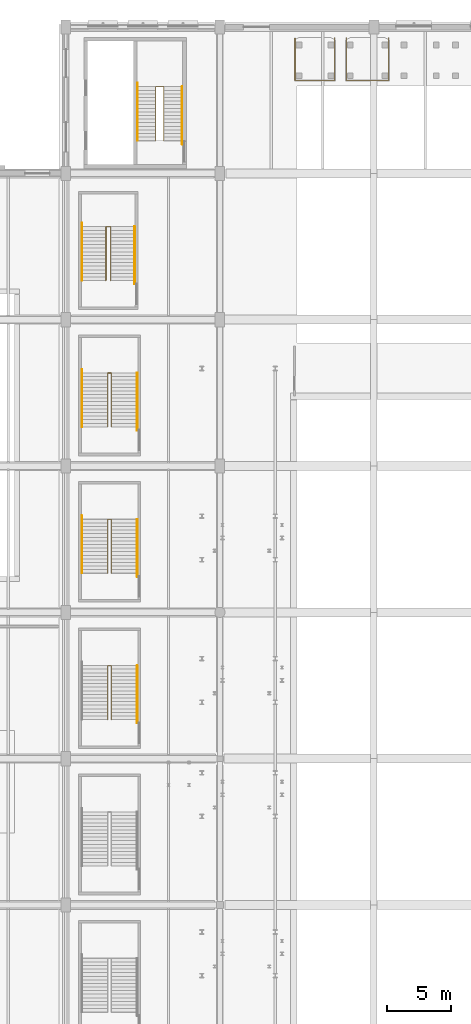
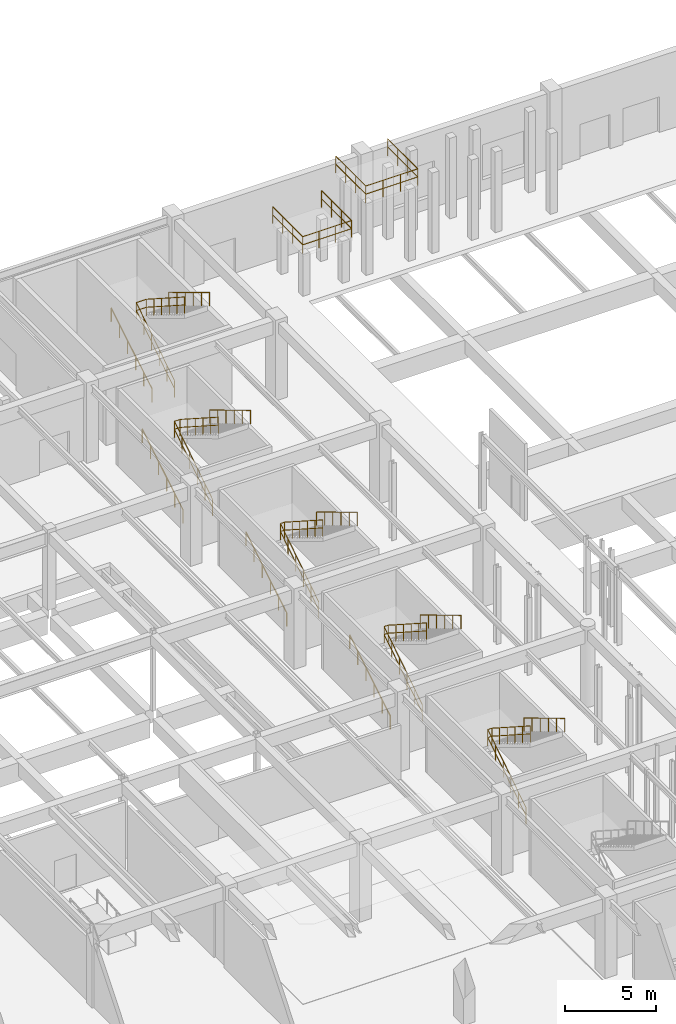
# One storey, part 112 of 113: 16 railings.
"""IFC4 building model written with IfcOpenShell, lengths in metres."""

from ifc_helpers import new_model, si_unit, direction, frame, origin, origin_2d, place, context, subcontext, project, spatial, circle, extrude, material, layer, layer_set, type_object, element, save


model = new_model("IFC4")

# Units and contexts
model_context = context("Model", 3, precision=1e-05, world=origin(), true_north=direction((0.0, 1.0)))
body_context = subcontext(model_context, "Body", "Model", "MODEL_VIEW")
ifc_project = project(units=[si_unit("LENGTHUNIT", "METRE"), si_unit("AREAUNIT", "SQUARE_METRE"), si_unit("VOLUMEUNIT", "CUBIC_METRE"), si_unit("PLANEANGLEUNIT", "RADIAN"), si_unit("MASSUNIT", "GRAM", prefix="KILO"), si_unit("POWERUNIT", "WATT"), si_unit("THERMODYNAMICTEMPERATUREUNIT", "KELVIN")], contexts=[model_context])

# Site, building, storey
site_placement = place(None, origin())
site = spatial("IfcSite", under=ifc_project, at=site_placement, CompositionType="ELEMENT")
building_placement = place(site_placement, origin())
building = spatial("IfcBuilding", under=site, at=building_placement, Name="Kelmbourne Parkland Aquatics Centre", CompositionType="ELEMENT")
storey_placement = place(building_placement, origin())
storey = spatial("IfcBuildingStorey", under=building, at=storey_placement, Name="L00", CompositionType="ELEMENT", Elevation=0.0)

# Railings
ifc_material_1 = material(Name="Grade 316 stainless steel and laminated glass balustrade", Category="glass")
ifc_layer = layer(ifc_material_1, 0.06005859375)
ifc_layer_set = layer_set([ifc_layer], Name="Grade 316 stainless steel and laminated glass balustrade")
railing_type_1 = type_object("IfcRailingType", Name="RL-BL-114", PredefinedType="BALUSTRADE", material=ifc_layer_set)
railing_1_placement = place(storey_placement, frame((145.85009765625, 113.949951171875, 3.0)))
element("IfcRailing", 1, at=railing_1_placement, inside=storey, type_object=railing_type_1, Name="Safety balustrade BAL-DIVE-3M", PredefinedType="BALUSTRADE", context=body_context, shape_type="SweptSolid", body=[
    extrude(circle(Radius=0.02392578125, at=origin_2d()), frame((0.0, 0.0, 1.11572265625), z_axis=(0.0, -1.0, 0.0), x_axis=(1.0, 0.0, 0.0)), (0.0, 0.0, 1.0), 3.300048828125),
    extrude(circle(Radius=0.02392578125, at=origin_2d()), frame((0.0, 0.0, 0.56982421875), z_axis=(0.0, -1.0, 0.0), x_axis=(1.0, 0.0, 0.0)), (0.0, 0.0, 1.0), 3.300048828125),
    extrude(circle(Radius=0.02392578125, at=origin_2d()), frame((0.0, -3.300048828125, 1.11572265625), z_axis=(1.0, 0.0, 0.0), x_axis=(0.0, 1.0, 0.0)), (0.0, 0.0, 1.0), 3.099853515625),
    extrude(circle(Radius=0.02392578125, at=origin_2d()), frame((0.0, -3.300048828125, 0.56982421875), z_axis=(1.0, 0.0, 0.0), x_axis=(0.0, 1.0, 0.0)), (0.0, 0.0, 1.0), 3.099853515625),
    extrude(circle(Radius=0.02392578125, at=origin_2d()), frame((3.099853515625, -3.300048828125, 1.11572265625), z_axis=(0.0, 1.0, 0.0), x_axis=(-1.0, 0.0, 0.0)), (0.0, 0.0, 1.0), 3.300048828125),
    extrude(circle(Radius=0.02392578125, at=origin_2d()), frame((3.099853515625, -3.300048828125, 0.56982421875), z_axis=(0.0, 1.0, 0.0), x_axis=(-1.0, 0.0, 0.0)), (0.0, 0.0, 1.0), 3.300048828125),
    extrude(circle(Radius=0.02099609375, at=origin_2d()), origin(), (0.0, 0.0, 1.0), 1.091796875),
    extrude(circle(Radius=0.02099609375, at=origin_2d()), frame((0.0, -1.10009765625, 0.0)), (0.0, 0.0, 1.0), 1.091796875),
    extrude(circle(Radius=0.02099609375, at=origin_2d()), frame((0.0, -2.199951171875, 0.0)), (0.0, 0.0, 1.0), 1.091796875),
    extrude(circle(Radius=0.02099609375, at=origin_2d()), frame((0.0, -3.300048828125, 0.0)), (0.0, 0.0, 1.0), 1.091796875),
    extrude(circle(Radius=0.02099609375, at=origin_2d()), frame((1.033203125, -3.300048828125, 0.0)), (0.0, 0.0, 1.0), 1.091796875),
    extrude(circle(Radius=0.02099609375, at=origin_2d()), frame((2.066650390625, -3.300048828125, 0.0)), (0.0, 0.0, 1.0), 1.091796875),
    extrude(circle(Radius=0.02099609375, at=origin_2d()), frame((3.099853515625, -3.300048828125, 0.0)), (0.0, 0.0, 1.0), 1.091796875),
    extrude(circle(Radius=0.02099609375, at=origin_2d()), frame((3.099853515625, -2.199951171875, 0.0)), (0.0, 0.0, 1.0), 1.091796875),
    extrude(circle(Radius=0.02099609375, at=origin_2d()), frame((3.099853515625, -1.10009765625, 0.0)), (0.0, 0.0, 1.0), 1.091796875),
    extrude(circle(Radius=0.02099609375, at=origin_2d()), frame((3.099853515625, 0.0, 0.0)), (0.0, 0.0, 1.0), 1.091796875),
])
railing_2_placement = place(storey_placement, frame((149.85009765625, 113.949951171875, 5.0)))
element("IfcRailing", 2, at=railing_2_placement, inside=storey, type_object=railing_type_1, Name="Safety balustrade BAL-DIVE-5M", PredefinedType="BALUSTRADE", context=body_context, shape_type="SweptSolid", body=[
    extrude(circle(Radius=0.02392578125, at=origin_2d()), frame((0.0, 0.0, 1.11572265625), z_axis=(0.0, -1.0, 0.0), x_axis=(1.0, 0.0, 0.0)), (0.0, 0.0, 1.0), 3.300048828125),
    extrude(circle(Radius=0.02392578125, at=origin_2d()), frame((0.0, 0.0, 0.56982421875), z_axis=(0.0, -1.0, 0.0), x_axis=(1.0, 0.0, 0.0)), (0.0, 0.0, 1.0), 3.300048828125),
    extrude(circle(Radius=0.02392578125, at=origin_2d()), frame((0.0, -3.300048828125, 1.11572265625), z_axis=(1.0, 0.0, 0.0), x_axis=(0.0, 1.0, 0.0)), (0.0, 0.0, 1.0), 3.2998046875),
    extrude(circle(Radius=0.02392578125, at=origin_2d()), frame((0.0, -3.300048828125, 0.56982421875), z_axis=(1.0, 0.0, 0.0), x_axis=(0.0, 1.0, 0.0)), (0.0, 0.0, 1.0), 3.2998046875),
    extrude(circle(Radius=0.02392578125, at=origin_2d()), frame((3.2998046875, -3.300048828125, 1.11572265625), z_axis=(0.0, 1.0, 0.0), x_axis=(-1.0, 0.0, 0.0)), (0.0, 0.0, 1.0), 3.300048828125),
    extrude(circle(Radius=0.02392578125, at=origin_2d()), frame((3.2998046875, -3.300048828125, 0.56982421875), z_axis=(0.0, 1.0, 0.0), x_axis=(-1.0, 0.0, 0.0)), (0.0, 0.0, 1.0), 3.300048828125),
    extrude(circle(Radius=0.02099609375, at=origin_2d()), origin(), (0.0, 0.0, 1.0), 1.091796875),
    extrude(circle(Radius=0.02099609375, at=origin_2d()), frame((0.0, -1.10009765625, 0.0)), (0.0, 0.0, 1.0), 1.091796875),
    extrude(circle(Radius=0.02099609375, at=origin_2d()), frame((0.0, -2.199951171875, 0.0)), (0.0, 0.0, 1.0), 1.091796875),
    extrude(circle(Radius=0.02099609375, at=origin_2d()), frame((0.0, -3.300048828125, 0.0)), (0.0, 0.0, 1.0), 1.091796875),
    extrude(circle(Radius=0.02099609375, at=origin_2d()), frame((1.099853515625, -3.300048828125, 0.0)), (0.0, 0.0, 1.0), 1.091796875),
    extrude(circle(Radius=0.02099609375, at=origin_2d()), frame((2.199951171875, -3.300048828125, 0.0)), (0.0, 0.0, 1.0), 1.091796875),
    extrude(circle(Radius=0.02099609375, at=origin_2d()), frame((3.2998046875, -3.300048828125, 0.0)), (0.0, 0.0, 1.0), 1.091796875),
    extrude(circle(Radius=0.02099609375, at=origin_2d()), frame((3.2998046875, -2.199951171875, 0.0)), (0.0, 0.0, 1.0), 1.091796875),
    extrude(circle(Radius=0.02099609375, at=origin_2d()), frame((3.2998046875, -1.10009765625, 0.0)), (0.0, 0.0, 1.0), 1.091796875),
    extrude(circle(Radius=0.02099609375, at=origin_2d()), frame((3.2998046875, 0.0, 0.0)), (0.0, 0.0, 1.0), 1.091796875),
])
ifc_material_2 = material(Name="Grade 316 marine stainless steel", Category="steel")
railing_type_2 = type_object("IfcRailingType", Name="RL-GD-112", PredefinedType="GUARDRAIL", material=ifc_material_2)
railing_3_placement = place(storey_placement, frame((134.9951171875, 105.949951171875, 0.0)))
element("IfcRailing", 3, at=railing_3_placement, inside=storey, type_object=railing_type_2, Name="North Diving Control Fire-Fighting Core Stair ST05 well guardrail", PredefinedType="GUARDRAIL", context=body_context, shape_type="SweptSolid", body=[
    extrude(circle(Radius=0.02392578125, at=origin_2d()), frame((0.0, 0.0, 1.09619140625), z_axis=(0.0, 0.841180064094, 0.540755119968), x_axis=(-1.0, 0.0, 0.0)), (0.0, 0.0, 1.0), 4.992919921875),
    extrude(circle(Radius=0.02392578125, at=origin_2d()), frame((0.0, 0.0, 0.56005859375), z_axis=(0.0, 0.841180064094, 0.540755119968), x_axis=(-1.0, 0.0, 0.0)), (0.0, 0.0, 1.0), 4.992919921875),
    extrude(circle(Radius=0.02392578125, at=origin_2d()), frame((0.0, 4.199951171875, 3.7958984375), z_axis=(1.0, 0.0, 0.0), x_axis=(0.0, 1.0, 0.0)), (0.0, 0.0, 1.0), 0.634765625),
    extrude(circle(Radius=0.02392578125, at=origin_2d()), frame((0.0, 4.199951171875, 3.260009765625), z_axis=(1.0, 0.0, 0.0), x_axis=(0.0, 1.0, 0.0)), (0.0, 0.0, 1.0), 0.634765625),
    extrude(circle(Radius=0.02392578125, at=origin_2d()), frame((0.634765625, 4.199951171875, 3.7958984375), z_axis=(0.0, -0.841180064094, 0.540755119968), x_axis=(1.0, 0.0, 0.0)), (0.0, 0.0, 1.0), 4.992919921875),
    extrude(circle(Radius=0.02392578125, at=origin_2d()), frame((0.634765625, 4.199951171875, 3.260009765625), z_axis=(0.0, -0.841180064094, 0.540755119968), x_axis=(1.0, 0.0, 0.0)), (0.0, 0.0, 1.0), 4.992919921875),
    extrude(circle(Radius=0.02099609375, at=origin_2d()), origin(), (0.0, 0.0, 1.0), 1.072021484375),
    extrude(circle(Radius=0.02099609375, at=origin_2d()), frame((0.0, 0.840087890625, 0.5400390625)), (0.0, 0.0, 1.0), 1.072021484375),
    extrude(circle(Radius=0.02099609375, at=origin_2d()), frame((0.0, 1.679931640625, 1.080078125)), (0.0, 0.0, 1.0), 1.072021484375),
    extrude(circle(Radius=0.02099609375, at=origin_2d()), frame((0.0, 2.52001953125, 1.619873046875)), (0.0, 0.0, 1.0), 1.072021484375),
    extrude(circle(Radius=0.02099609375, at=origin_2d()), frame((0.0, 3.35986328125, 2.159912109375)), (0.0, 0.0, 1.0), 1.072021484375),
    extrude(circle(Radius=0.02099609375, at=origin_2d()), frame((0.0, 4.199951171875, 2.699951171875)), (0.0, 0.0, 1.0), 1.072021484375),
    extrude(circle(Radius=0.02099609375, at=origin_2d()), frame((0.634765625, 4.199951171875, 2.699951171875)), (0.0, 0.0, 1.0), 1.072021484375),
    extrude(circle(Radius=0.02099609375, at=origin_2d()), frame((0.634765625, 3.35986328125, 3.239990234375)), (0.0, 0.0, 1.0), 1.072021484375),
    extrude(circle(Radius=0.02099609375, at=origin_2d()), frame((0.634765625, 2.52001953125, 3.780029296875)), (0.0, 0.0, 1.0), 1.072021484375),
    extrude(circle(Radius=0.02099609375, at=origin_2d()), frame((0.634765625, 1.679931640625, 4.31982421875)), (0.0, 0.0, 1.0), 1.072021484375),
    extrude(circle(Radius=0.02099609375, at=origin_2d()), frame((0.634765625, 0.840087890625, 4.85986328125)), (0.0, 0.0, 1.0), 1.072021484375),
    extrude(circle(Radius=0.02099609375, at=origin_2d()), frame((0.634765625, 0.0, 5.39990234375)), (0.0, 0.0, 1.0), 1.072021484375),
])
railing_4_placement = place(storey_placement, frame((131.1201171875, 95.050048828125, 0.0)))
element("IfcRailing", 4, at=railing_4_placement, inside=storey, type_object=railing_type_2, Name="Main Bowl North Concourse Exit Stair well guardrail", PredefinedType="GUARDRAIL", context=body_context, shape_type="SweptSolid", body=[
    extrude(circle(Radius=0.02392578125, at=origin_2d()), frame((0.0, 0.0, 1.09619140625), z_axis=(0.0, 0.841180064094, 0.540755119968), x_axis=(-1.0, 0.0, 0.0)), (0.0, 0.0, 1.0), 4.992919921875),
    extrude(circle(Radius=0.02392578125, at=origin_2d()), frame((0.0, 0.0, 0.56005859375), z_axis=(0.0, 0.841180064094, 0.540755119968), x_axis=(-1.0, 0.0, 0.0)), (0.0, 0.0, 1.0), 4.992919921875),
    extrude(circle(Radius=0.02392578125, at=origin_2d()), frame((0.0, 4.199951171875, 3.7958984375), z_axis=(1.0, 0.0, 0.0), x_axis=(0.0, 1.0, 0.0)), (0.0, 0.0, 1.0), 0.35986328125),
    extrude(circle(Radius=0.02392578125, at=origin_2d()), frame((0.0, 4.199951171875, 3.260009765625), z_axis=(1.0, 0.0, 0.0), x_axis=(0.0, 1.0, 0.0)), (0.0, 0.0, 1.0), 0.35986328125),
    extrude(circle(Radius=0.02392578125, at=origin_2d()), frame((0.35986328125, 4.199951171875, 3.7958984375), z_axis=(0.0, -0.841180064094, 0.540755119968), x_axis=(1.0, 0.0, 0.0)), (0.0, 0.0, 1.0), 4.992919921875),
    extrude(circle(Radius=0.02392578125, at=origin_2d()), frame((0.35986328125, 4.199951171875, 3.260009765625), z_axis=(0.0, -0.841180064094, 0.540755119968), x_axis=(1.0, 0.0, 0.0)), (0.0, 0.0, 1.0), 4.992919921875),
    extrude(circle(Radius=0.02099609375, at=origin_2d()), origin(), (0.0, 0.0, 1.0), 1.072021484375),
    extrude(circle(Radius=0.02099609375, at=origin_2d()), frame((0.0, 0.840087890625, 0.5400390625)), (0.0, 0.0, 1.0), 1.072021484375),
    extrude(circle(Radius=0.02099609375, at=origin_2d()), frame((0.0, 1.679931640625, 1.080078125)), (0.0, 0.0, 1.0), 1.072021484375),
    extrude(circle(Radius=0.02099609375, at=origin_2d()), frame((0.0, 2.52001953125, 1.619873046875)), (0.0, 0.0, 1.0), 1.072021484375),
    extrude(circle(Radius=0.02099609375, at=origin_2d()), frame((0.0, 3.35986328125, 2.159912109375)), (0.0, 0.0, 1.0), 1.072021484375),
    extrude(circle(Radius=0.02099609375, at=origin_2d()), frame((0.0, 4.199951171875, 2.699951171875)), (0.0, 0.0, 1.0), 1.072021484375),
    extrude(circle(Radius=0.02099609375, at=origin_2d()), frame((0.35986328125, 4.199951171875, 2.699951171875)), (0.0, 0.0, 1.0), 1.072021484375),
    extrude(circle(Radius=0.02099609375, at=origin_2d()), frame((0.35986328125, 3.35986328125, 3.239990234375)), (0.0, 0.0, 1.0), 1.072021484375),
    extrude(circle(Radius=0.02099609375, at=origin_2d()), frame((0.35986328125, 2.52001953125, 3.780029296875)), (0.0, 0.0, 1.0), 1.072021484375),
    extrude(circle(Radius=0.02099609375, at=origin_2d()), frame((0.35986328125, 1.679931640625, 4.31982421875)), (0.0, 0.0, 1.0), 1.072021484375),
    extrude(circle(Radius=0.02099609375, at=origin_2d()), frame((0.35986328125, 0.840087890625, 4.85986328125)), (0.0, 0.0, 1.0), 1.072021484375),
    extrude(circle(Radius=0.02099609375, at=origin_2d()), frame((0.35986328125, 0.0, 5.39990234375)), (0.0, 0.0, 1.0), 1.072021484375),
])
railing_5_placement = place(storey_placement, frame((131.27001953125, 60.85009765625, 0.0)))
element("IfcRailing", 5, at=railing_5_placement, inside=storey, type_object=railing_type_2, Name="Spectator Bowl Exit Stair Bay 6 well guardrail", PredefinedType="GUARDRAIL", context=body_context, shape_type="SweptSolid", body=[
    extrude(circle(Radius=0.02392578125, at=origin_2d()), frame((0.0, 0.0, 1.09619140625), z_axis=(0.0, 0.841180064094, 0.540755119968), x_axis=(-1.0, 0.0, 0.0)), (0.0, 0.0, 1.0), 4.992919921875),
    extrude(circle(Radius=0.02392578125, at=origin_2d()), frame((0.0, 0.0, 0.56005859375), z_axis=(0.0, 0.841180064094, 0.540755119968), x_axis=(-1.0, 0.0, 0.0)), (0.0, 0.0, 1.0), 4.992919921875),
    extrude(circle(Radius=0.02392578125, at=origin_2d()), frame((0.0, 4.199951171875, 3.7958984375), z_axis=(1.0, 0.0, 0.0), x_axis=(0.0, 1.0, 0.0)), (0.0, 0.0, 1.0), 0.260009765625),
    extrude(circle(Radius=0.02392578125, at=origin_2d()), frame((0.0, 4.199951171875, 3.260009765625), z_axis=(1.0, 0.0, 0.0), x_axis=(0.0, 1.0, 0.0)), (0.0, 0.0, 1.0), 0.260009765625),
    extrude(circle(Radius=0.02392578125, at=origin_2d()), frame((0.260009765625, 4.199951171875, 3.7958984375), z_axis=(0.0, -0.841180064094, 0.540755119968), x_axis=(1.0, 0.0, 0.0)), (0.0, 0.0, 1.0), 4.992919921875),
    extrude(circle(Radius=0.02392578125, at=origin_2d()), frame((0.260009765625, 4.199951171875, 3.260009765625), z_axis=(0.0, -0.841180064094, 0.540755119968), x_axis=(1.0, 0.0, 0.0)), (0.0, 0.0, 1.0), 4.992919921875),
    extrude(circle(Radius=0.02099609375, at=origin_2d()), origin(), (0.0, 0.0, 1.0), 1.072021484375),
    extrude(circle(Radius=0.02099609375, at=origin_2d()), frame((0.0, 0.840087890625, 0.5400390625)), (0.0, 0.0, 1.0), 1.072021484375),
    extrude(circle(Radius=0.02099609375, at=origin_2d()), frame((0.0, 1.679931640625, 1.080078125)), (0.0, 0.0, 1.0), 1.072021484375),
    extrude(circle(Radius=0.02099609375, at=origin_2d()), frame((0.0, 2.52001953125, 1.619873046875)), (0.0, 0.0, 1.0), 1.072021484375),
    extrude(circle(Radius=0.02099609375, at=origin_2d()), frame((0.0, 3.35986328125, 2.159912109375)), (0.0, 0.0, 1.0), 1.072021484375),
    extrude(circle(Radius=0.02099609375, at=origin_2d()), frame((0.0, 4.199951171875, 2.699951171875)), (0.0, 0.0, 1.0), 1.072021484375),
    extrude(circle(Radius=0.02099609375, at=origin_2d()), frame((0.260009765625, 4.199951171875, 2.699951171875)), (0.0, 0.0, 1.0), 1.072021484375),
    extrude(circle(Radius=0.02099609375, at=origin_2d()), frame((0.260009765625, 3.35986328125, 3.239990234375)), (0.0, 0.0, 1.0), 1.072021484375),
    extrude(circle(Radius=0.02099609375, at=origin_2d()), frame((0.260009765625, 2.52001953125, 3.780029296875)), (0.0, 0.0, 1.0), 1.072021484375),
    extrude(circle(Radius=0.02099609375, at=origin_2d()), frame((0.260009765625, 1.679931640625, 4.31982421875)), (0.0, 0.0, 1.0), 1.072021484375),
    extrude(circle(Radius=0.02099609375, at=origin_2d()), frame((0.260009765625, 0.840087890625, 4.85986328125)), (0.0, 0.0, 1.0), 1.072021484375),
    extrude(circle(Radius=0.02099609375, at=origin_2d()), frame((0.260009765625, 0.0, 5.39990234375)), (0.0, 0.0, 1.0), 1.072021484375),
])
railing_6_placement = place(storey_placement, frame((131.27001953125, 72.25, 0.0)))
element("IfcRailing", 6, at=railing_6_placement, inside=storey, type_object=railing_type_2, Name="Spectator Bowl Exit Stair Bay 7 well guardrail", PredefinedType="GUARDRAIL", context=body_context, shape_type="SweptSolid", body=[
    extrude(circle(Radius=0.02392578125, at=origin_2d()), frame((0.0, 0.0, 1.09619140625), z_axis=(0.0, 0.841180064094, 0.540755119968), x_axis=(-1.0, 0.0, 0.0)), (0.0, 0.0, 1.0), 4.992919921875),
    extrude(circle(Radius=0.02392578125, at=origin_2d()), frame((0.0, 0.0, 0.56005859375), z_axis=(0.0, 0.841180064094, 0.540755119968), x_axis=(-1.0, 0.0, 0.0)), (0.0, 0.0, 1.0), 4.992919921875),
    extrude(circle(Radius=0.02392578125, at=origin_2d()), frame((0.0, 4.199951171875, 3.7958984375), z_axis=(1.0, 0.0, 0.0), x_axis=(0.0, 1.0, 0.0)), (0.0, 0.0, 1.0), 0.260009765625),
    extrude(circle(Radius=0.02392578125, at=origin_2d()), frame((0.0, 4.199951171875, 3.260009765625), z_axis=(1.0, 0.0, 0.0), x_axis=(0.0, 1.0, 0.0)), (0.0, 0.0, 1.0), 0.260009765625),
    extrude(circle(Radius=0.02392578125, at=origin_2d()), frame((0.260009765625, 4.199951171875, 3.7958984375), z_axis=(0.0, -0.841180064094, 0.540755119968), x_axis=(1.0, 0.0, 0.0)), (0.0, 0.0, 1.0), 4.992919921875),
    extrude(circle(Radius=0.02392578125, at=origin_2d()), frame((0.260009765625, 4.199951171875, 3.260009765625), z_axis=(0.0, -0.841180064094, 0.540755119968), x_axis=(1.0, 0.0, 0.0)), (0.0, 0.0, 1.0), 4.992919921875),
    extrude(circle(Radius=0.02099609375, at=origin_2d()), origin(), (0.0, 0.0, 1.0), 1.072021484375),
    extrude(circle(Radius=0.02099609375, at=origin_2d()), frame((0.0, 0.840087890625, 0.5400390625)), (0.0, 0.0, 1.0), 1.072021484375),
    extrude(circle(Radius=0.02099609375, at=origin_2d()), frame((0.0, 1.679931640625, 1.080078125)), (0.0, 0.0, 1.0), 1.072021484375),
    extrude(circle(Radius=0.02099609375, at=origin_2d()), frame((0.0, 2.52001953125, 1.619873046875)), (0.0, 0.0, 1.0), 1.072021484375),
    extrude(circle(Radius=0.02099609375, at=origin_2d()), frame((0.0, 3.35986328125, 2.159912109375)), (0.0, 0.0, 1.0), 1.072021484375),
    extrude(circle(Radius=0.02099609375, at=origin_2d()), frame((0.0, 4.199951171875, 2.699951171875)), (0.0, 0.0, 1.0), 1.072021484375),
    extrude(circle(Radius=0.02099609375, at=origin_2d()), frame((0.260009765625, 4.199951171875, 2.699951171875)), (0.0, 0.0, 1.0), 1.072021484375),
    extrude(circle(Radius=0.02099609375, at=origin_2d()), frame((0.260009765625, 3.35986328125, 3.239990234375)), (0.0, 0.0, 1.0), 1.072021484375),
    extrude(circle(Radius=0.02099609375, at=origin_2d()), frame((0.260009765625, 2.52001953125, 3.780029296875)), (0.0, 0.0, 1.0), 1.072021484375),
    extrude(circle(Radius=0.02099609375, at=origin_2d()), frame((0.260009765625, 1.679931640625, 4.31982421875)), (0.0, 0.0, 1.0), 1.072021484375),
    extrude(circle(Radius=0.02099609375, at=origin_2d()), frame((0.260009765625, 0.840087890625, 4.85986328125)), (0.0, 0.0, 1.0), 1.072021484375),
    extrude(circle(Radius=0.02099609375, at=origin_2d()), frame((0.260009765625, 0.0, 5.39990234375)), (0.0, 0.0, 1.0), 1.072021484375),
])
railing_7_placement = place(storey_placement, frame((131.27001953125, 83.64990234375, 0.0)))
element("IfcRailing", 7, at=railing_7_placement, inside=storey, type_object=railing_type_2, Name="Spectator Bowl Exit Stair Bay 8 well guardrail", PredefinedType="GUARDRAIL", context=body_context, shape_type="SweptSolid", body=[
    extrude(circle(Radius=0.02392578125, at=origin_2d()), frame((0.0, 0.0, 1.09619140625), z_axis=(0.0, 0.841194361566, 0.540732878665), x_axis=(-1.0, 0.0, 0.0)), (0.0, 0.0, 1.0), 4.9931640625),
    extrude(circle(Radius=0.02392578125, at=origin_2d()), frame((0.0, 0.0, 0.56005859375), z_axis=(0.0, 0.841194361566, 0.540732878665), x_axis=(-1.0, 0.0, 0.0)), (0.0, 0.0, 1.0), 4.9931640625),
    extrude(circle(Radius=0.02392578125, at=origin_2d()), frame((0.0, 4.2001953125, 3.7958984375), z_axis=(1.0, 0.0, 0.0), x_axis=(0.0, 1.0, 0.0)), (0.0, 0.0, 1.0), 0.260009765625),
    extrude(circle(Radius=0.02392578125, at=origin_2d()), frame((0.0, 4.2001953125, 3.260009765625), z_axis=(1.0, 0.0, 0.0), x_axis=(0.0, 1.0, 0.0)), (0.0, 0.0, 1.0), 0.260009765625),
    extrude(circle(Radius=0.02392578125, at=origin_2d()), frame((0.260009765625, 4.2001953125, 3.7958984375), z_axis=(0.0, -0.841194361566, 0.540732878665), x_axis=(1.0, 0.0, 0.0)), (0.0, 0.0, 1.0), 4.9931640625),
    extrude(circle(Radius=0.02392578125, at=origin_2d()), frame((0.260009765625, 4.2001953125, 3.260009765625), z_axis=(0.0, -0.841194361566, 0.540732878665), x_axis=(1.0, 0.0, 0.0)), (0.0, 0.0, 1.0), 4.9931640625),
    extrude(circle(Radius=0.02099609375, at=origin_2d()), origin(), (0.0, 0.0, 1.0), 1.072021484375),
    extrude(circle(Radius=0.02099609375, at=origin_2d()), frame((0.0, 0.840087890625, 0.5400390625)), (0.0, 0.0, 1.0), 1.072021484375),
    extrude(circle(Radius=0.02099609375, at=origin_2d()), frame((0.0, 1.68017578125, 1.080078125)), (0.0, 0.0, 1.0), 1.072021484375),
    extrude(circle(Radius=0.02099609375, at=origin_2d()), frame((0.0, 2.52001953125, 1.619873046875)), (0.0, 0.0, 1.0), 1.072021484375),
    extrude(circle(Radius=0.02099609375, at=origin_2d()), frame((0.0, 3.360107421875, 2.159912109375)), (0.0, 0.0, 1.0), 1.072021484375),
    extrude(circle(Radius=0.02099609375, at=origin_2d()), frame((0.0, 4.2001953125, 2.699951171875)), (0.0, 0.0, 1.0), 1.072021484375),
    extrude(circle(Radius=0.02099609375, at=origin_2d()), frame((0.260009765625, 4.2001953125, 2.699951171875)), (0.0, 0.0, 1.0), 1.072021484375),
    extrude(circle(Radius=0.02099609375, at=origin_2d()), frame((0.260009765625, 3.360107421875, 3.239990234375)), (0.0, 0.0, 1.0), 1.072021484375),
    extrude(circle(Radius=0.02099609375, at=origin_2d()), frame((0.260009765625, 2.52001953125, 3.780029296875)), (0.0, 0.0, 1.0), 1.072021484375),
    extrude(circle(Radius=0.02099609375, at=origin_2d()), frame((0.260009765625, 1.68017578125, 4.31982421875)), (0.0, 0.0, 1.0), 1.072021484375),
    extrude(circle(Radius=0.02099609375, at=origin_2d()), frame((0.260009765625, 0.840087890625, 4.85986328125)), (0.0, 0.0, 1.0), 1.072021484375),
    extrude(circle(Radius=0.02099609375, at=origin_2d()), frame((0.260009765625, 0.0, 5.39990234375)), (0.0, 0.0, 1.0), 1.072021484375),
])
railing_type_3 = type_object("IfcRailingType", Name="RL-HR-92", PredefinedType="HANDRAIL", material=ifc_material_2)
railing_8_placement = place(storey_placement, frame((133.56494140625, 105.949951171875, 0.168701171875)))
element("IfcRailing", 8, at=railing_8_placement, inside=storey, type_object=railing_type_3, Name="North Diving Control Fire-Fighting Core Stair ST05 F1 handrail", PredefinedType="HANDRAIL", context=body_context, shape_type="SweptSolid", body=[
    extrude(circle(Radius=0.02392578125, at=origin_2d()), frame((0.0, 0.0, 0.89599609375), z_axis=(0.0, 0.856461642802, 0.516210668632), x_axis=(-1.0, 0.0, 0.0)), (0.0, 0.0, 1.0), 5.230712890625),
    extrude(circle(Radius=0.02099609375, at=origin_2d()), origin(), (0.0, 0.0, 1.0), 0.871826171875),
    extrude(circle(Radius=0.02099609375, at=origin_2d()), frame((0.0, 0.89599609375, 0.5400390625)), (0.0, 0.0, 1.0), 0.871826171875),
    extrude(circle(Radius=0.02099609375, at=origin_2d()), frame((0.0, 1.7919921875, 1.080078125)), (0.0, 0.0, 1.0), 0.871826171875),
    extrude(circle(Radius=0.02099609375, at=origin_2d()), frame((0.0, 2.68798828125, 1.6201171875)), (0.0, 0.0, 1.0), 0.871826171875),
    extrude(circle(Radius=0.02099609375, at=origin_2d()), frame((0.0, 3.583984375, 2.16015625)), (0.0, 0.0, 1.0), 0.871826171875),
    extrude(circle(Radius=0.02099609375, at=origin_2d()), frame((0.0, 4.47998046875, 2.7001953125)), (0.0, 0.0, 1.0), 0.871826171875),
])
railing_9_placement = place(storey_placement, frame((137.06005859375, 110.14990234375, 2.868896484375)))
element("IfcRailing", 9, at=railing_9_placement, inside=storey, type_object=railing_type_3, Name="North Diving Control Fire-Fighting Core Stair ST05 F2 handrail", PredefinedType="HANDRAIL", context=body_context, shape_type="SweptSolid", body=[
    extrude(circle(Radius=0.02392578125, at=origin_2d()), frame((0.0, 0.0, 0.89599609375), z_axis=(0.0, -0.856482277723, 0.516176431026), x_axis=(1.0, 0.0, 0.0)), (0.0, 0.0, 1.0), 5.230712890625),
    extrude(circle(Radius=0.02099609375, at=origin_2d()), origin(), (0.0, 0.0, 1.0), 0.871826171875),
    extrude(circle(Radius=0.02099609375, at=origin_2d()), frame((0.0, -0.89599609375, 0.5400390625)), (0.0, 0.0, 1.0), 0.871826171875),
    extrude(circle(Radius=0.02099609375, at=origin_2d()), frame((0.0, -1.7919921875, 1.080078125)), (0.0, 0.0, 1.0), 0.871826171875),
    extrude(circle(Radius=0.02099609375, at=origin_2d()), frame((0.0, -2.68798828125, 1.619873046875)), (0.0, 0.0, 1.0), 0.871826171875),
    extrude(circle(Radius=0.02099609375, at=origin_2d()), frame((0.0, -3.583984375, 2.159912109375)), (0.0, 0.0, 1.0), 0.871826171875),
    extrude(circle(Radius=0.02099609375, at=origin_2d()), frame((0.0, -4.47998046875, 2.699951171875)), (0.0, 0.0, 1.0), 0.871826171875),
])
railing_10_placement = place(storey_placement, frame((129.239990234375, 95.050048828125, 0.168701171875)))
element("IfcRailing", 10, at=railing_10_placement, inside=storey, type_object=railing_type_3, Name="Main Bowl North Concourse Exit Stair F1 handrail", PredefinedType="HANDRAIL", context=body_context, shape_type="SweptSolid", body=[
    extrude(circle(Radius=0.02392578125, at=origin_2d()), frame((0.0, 0.0, 0.89599609375), z_axis=(0.0, 0.856461642802, 0.516210668632), x_axis=(-1.0, 0.0, 0.0)), (0.0, 0.0, 1.0), 5.230712890625),
    extrude(circle(Radius=0.02099609375, at=origin_2d()), origin(), (0.0, 0.0, 1.0), 0.871826171875),
    extrude(circle(Radius=0.02099609375, at=origin_2d()), frame((0.0, 0.89599609375, 0.5400390625)), (0.0, 0.0, 1.0), 0.871826171875),
    extrude(circle(Radius=0.02099609375, at=origin_2d()), frame((0.0, 1.7919921875, 1.080078125)), (0.0, 0.0, 1.0), 0.871826171875),
    extrude(circle(Radius=0.02099609375, at=origin_2d()), frame((0.0, 2.68798828125, 1.6201171875)), (0.0, 0.0, 1.0), 0.871826171875),
    extrude(circle(Radius=0.02099609375, at=origin_2d()), frame((0.0, 3.583984375, 2.16015625)), (0.0, 0.0, 1.0), 0.871826171875),
    extrude(circle(Radius=0.02099609375, at=origin_2d()), frame((0.0, 4.47998046875, 2.7001953125)), (0.0, 0.0, 1.0), 0.871826171875),
])
for number, where, name in (
    (11, (133.360107421875, 99.25, 2.868896484375), "Main Bowl North Concourse Exit Stair F2 handrail"),
    (12, (133.56005859375, 65.050048828125, 2.868896484375), "Spectator Bowl Exit Stair Bay 6 F2 handrail"),
):
    element("IfcRailing", number, at=place(storey_placement, frame(where)), inside=storey, type_object=railing_type_3, Name=name, PredefinedType="HANDRAIL", context=body_context, shape_type="SweptSolid", body=[
        extrude(circle(Radius=0.02392578125, at=origin_2d()), frame((0.0, 0.0, 0.89599609375), z_axis=(0.0, -0.856482277723, 0.516176431026), x_axis=(1.0, 0.0, 0.0)), (0.0, 0.0, 1.0), 5.230712890625),
        extrude(circle(Radius=0.02099609375, at=origin_2d()), origin(), (0.0, 0.0, 1.0), 0.871826171875),
        extrude(circle(Radius=0.02099609375, at=origin_2d()), frame((0.0, -0.89599609375, 0.5400390625)), (0.0, 0.0, 1.0), 0.871826171875),
        extrude(circle(Radius=0.02099609375, at=origin_2d()), frame((0.0, -1.7919921875, 1.080078125)), (0.0, 0.0, 1.0), 0.871826171875),
        extrude(circle(Radius=0.02099609375, at=origin_2d()), frame((0.0, -2.68798828125, 1.619873046875)), (0.0, 0.0, 1.0), 0.871826171875),
        extrude(circle(Radius=0.02099609375, at=origin_2d()), frame((0.0, -3.583984375, 2.159912109375)), (0.0, 0.0, 1.0), 0.871826171875),
        extrude(circle(Radius=0.02099609375, at=origin_2d()), frame((0.0, -4.47998046875, 2.699951171875)), (0.0, 0.0, 1.0), 0.871826171875),
    ])
railing_11_placement = place(storey_placement, frame((129.239990234375, 72.25, 0.168701171875)))
element("IfcRailing", 13, at=railing_11_placement, inside=storey, type_object=railing_type_3, Name="Spectator Bowl Exit Stair Bay 7 F1 handrail", PredefinedType="HANDRAIL", context=body_context, shape_type="SweptSolid", body=[
    extrude(circle(Radius=0.02392578125, at=origin_2d()), frame((0.0, 0.0, 0.89599609375), z_axis=(0.0, 0.856461642802, 0.516210668632), x_axis=(-1.0, 0.0, 0.0)), (0.0, 0.0, 1.0), 5.230712890625),
    extrude(circle(Radius=0.02099609375, at=origin_2d()), origin(), (0.0, 0.0, 1.0), 0.871826171875),
    extrude(circle(Radius=0.02099609375, at=origin_2d()), frame((0.0, 0.89599609375, 0.5400390625)), (0.0, 0.0, 1.0), 0.871826171875),
    extrude(circle(Radius=0.02099609375, at=origin_2d()), frame((0.0, 1.7919921875, 1.080078125)), (0.0, 0.0, 1.0), 0.871826171875),
    extrude(circle(Radius=0.02099609375, at=origin_2d()), frame((0.0, 2.68798828125, 1.6201171875)), (0.0, 0.0, 1.0), 0.871826171875),
    extrude(circle(Radius=0.02099609375, at=origin_2d()), frame((0.0, 3.583984375, 2.16015625)), (0.0, 0.0, 1.0), 0.871826171875),
    extrude(circle(Radius=0.02099609375, at=origin_2d()), frame((0.0, 4.47998046875, 2.7001953125)), (0.0, 0.0, 1.0), 0.871826171875),
])
railing_12_placement = place(storey_placement, frame((133.56005859375, 76.449951171875, 2.868896484375)))
element("IfcRailing", 14, at=railing_12_placement, inside=storey, type_object=railing_type_3, Name="Spectator Bowl Exit Stair Bay 7 F2 handrail", PredefinedType="HANDRAIL", context=body_context, shape_type="SweptSolid", body=[
    extrude(circle(Radius=0.02392578125, at=origin_2d()), frame((0.0, 0.0, 0.89599609375), z_axis=(0.0, -0.856482277723, 0.516176431026), x_axis=(1.0, 0.0, 0.0)), (0.0, 0.0, 1.0), 5.230712890625),
    extrude(circle(Radius=0.02099609375, at=origin_2d()), origin(), (0.0, 0.0, 1.0), 0.871826171875),
    extrude(circle(Radius=0.02099609375, at=origin_2d()), frame((0.0, -0.89599609375, 0.5400390625)), (0.0, 0.0, 1.0), 0.871826171875),
    extrude(circle(Radius=0.02099609375, at=origin_2d()), frame((0.0, -1.7919921875, 1.080078125)), (0.0, 0.0, 1.0), 0.871826171875),
    extrude(circle(Radius=0.02099609375, at=origin_2d()), frame((0.0, -2.68798828125, 1.619873046875)), (0.0, 0.0, 1.0), 0.871826171875),
    extrude(circle(Radius=0.02099609375, at=origin_2d()), frame((0.0, -3.583984375, 2.159912109375)), (0.0, 0.0, 1.0), 0.871826171875),
    extrude(circle(Radius=0.02099609375, at=origin_2d()), frame((0.0, -4.47998046875, 2.699951171875)), (0.0, 0.0, 1.0), 0.871826171875),
])
railing_13_placement = place(storey_placement, frame((129.239990234375, 83.64990234375, 0.168701171875)))
element("IfcRailing", 15, at=railing_13_placement, inside=storey, type_object=railing_type_3, Name="Spectator Bowl Exit Stair Bay 8 F1 handrail", PredefinedType="HANDRAIL", context=body_context, shape_type="SweptSolid", body=[
    extrude(circle(Radius=0.02392578125, at=origin_2d()), frame((0.0, 0.0, 0.89599609375), z_axis=(0.0, 0.856461642802, 0.516210668632), x_axis=(-1.0, 0.0, 0.0)), (0.0, 0.0, 1.0), 5.230712890625),
    extrude(circle(Radius=0.02099609375, at=origin_2d()), origin(), (0.0, 0.0, 1.0), 0.871826171875),
    extrude(circle(Radius=0.02099609375, at=origin_2d()), frame((0.0, 0.89599609375, 0.5400390625)), (0.0, 0.0, 1.0), 0.871826171875),
    extrude(circle(Radius=0.02099609375, at=origin_2d()), frame((0.0, 1.7919921875, 1.080078125)), (0.0, 0.0, 1.0), 0.871826171875),
    extrude(circle(Radius=0.02099609375, at=origin_2d()), frame((0.0, 2.68798828125, 1.6201171875)), (0.0, 0.0, 1.0), 0.871826171875),
    extrude(circle(Radius=0.02099609375, at=origin_2d()), frame((0.0, 3.583984375, 2.16015625)), (0.0, 0.0, 1.0), 0.871826171875),
    extrude(circle(Radius=0.02099609375, at=origin_2d()), frame((0.0, 4.47998046875, 2.7001953125)), (0.0, 0.0, 1.0), 0.871826171875),
])
railing_14_placement = place(storey_placement, frame((133.56005859375, 87.85009765625, 2.868896484375)))
element("IfcRailing", 16, at=railing_14_placement, inside=storey, type_object=railing_type_3, Name="Spectator Bowl Exit Stair Bay 8 F2 handrail", PredefinedType="HANDRAIL", context=body_context, shape_type="SweptSolid", body=[
    extrude(circle(Radius=0.02392578125, at=origin_2d()), frame((0.0, 0.0, 0.89599609375), z_axis=(0.0, -0.856482277723, 0.516176431026), x_axis=(1.0, 0.0, 0.0)), (0.0, 0.0, 1.0), 5.230712890625),
    extrude(circle(Radius=0.02099609375, at=origin_2d()), origin(), (0.0, 0.0, 1.0), 0.871826171875),
    extrude(circle(Radius=0.02099609375, at=origin_2d()), frame((0.0, -0.89599609375, 0.5400390625)), (0.0, 0.0, 1.0), 0.871826171875),
    extrude(circle(Radius=0.02099609375, at=origin_2d()), frame((0.0, -1.7919921875, 1.080078125)), (0.0, 0.0, 1.0), 0.871826171875),
    extrude(circle(Radius=0.02099609375, at=origin_2d()), frame((0.0, -2.68798828125, 1.619873046875)), (0.0, 0.0, 1.0), 0.871826171875),
    extrude(circle(Radius=0.02099609375, at=origin_2d()), frame((0.0, -3.583984375, 2.159912109375)), (0.0, 0.0, 1.0), 0.871826171875),
    extrude(circle(Radius=0.02099609375, at=origin_2d()), frame((0.0, -4.47998046875, 2.699951171875)), (0.0, 0.0, 1.0), 0.871826171875),
])

save(model, "model.ifc")
